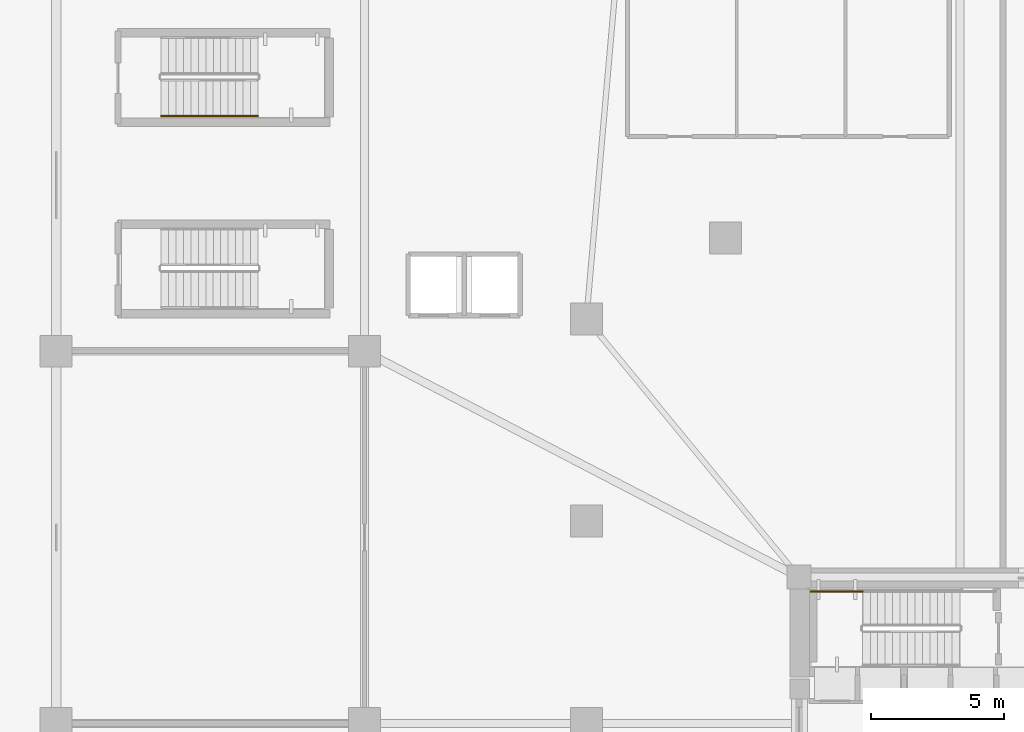
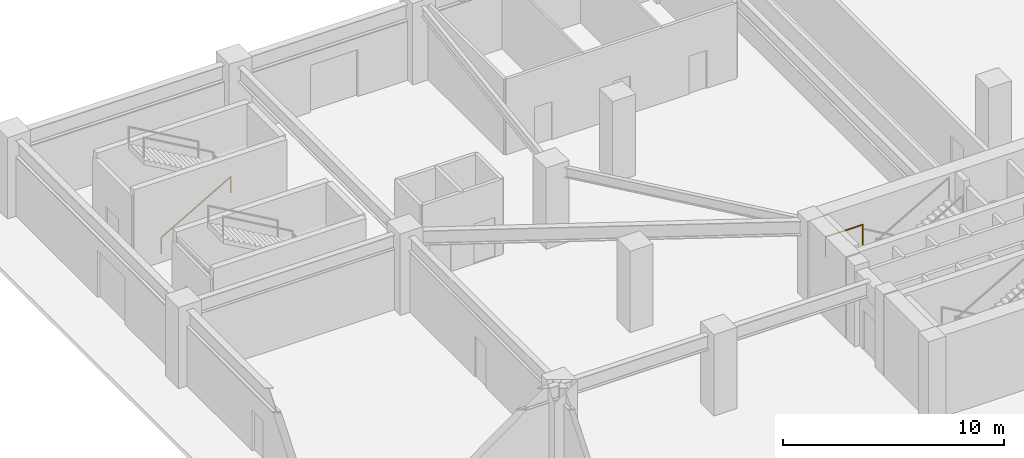
# One storey, part 14 of 18: 2 railings.
"""IFC4 building model written with IfcOpenShell, lengths in metres."""

from ifc_helpers import new_model, si_unit, direction, frame, origin, origin_2d, place, context, subcontext, project, spatial, rectangle, extrude, material, type_object, element, save


model = new_model("IFC4")

# Units and contexts
model_context = context("Model", 3, precision=1e-05, world=origin(), true_north=direction((0.0, 1.0)))
body_context = subcontext(model_context, "Body", "Model", "MODEL_VIEW")
ifc_project = project(units=[si_unit("LENGTHUNIT", "METRE"), si_unit("AREAUNIT", "SQUARE_METRE"), si_unit("VOLUMEUNIT", "CUBIC_METRE"), si_unit("PLANEANGLEUNIT", "RADIAN"), si_unit("MASSUNIT", "GRAM", prefix="KILO")], contexts=[model_context])

# Site, building, storey
site_placement = place(None, origin())
site = spatial("IfcSite", under=ifc_project, at=site_placement, CompositionType="ELEMENT")
building_placement = place(site_placement, origin())
building = spatial("IfcBuilding", under=site, at=building_placement, Name="Yunling Apex Tower", CompositionType="ELEMENT")
storey_placement = place(building_placement, origin())
storey = spatial("IfcBuildingStorey", under=building, at=storey_placement, Name="L01", CompositionType="ELEMENT", Elevation=0.0)

# Railings
ifc_material_1 = material(Name="Steel Q355B", Category="steel")
railing_type_1 = type_object("IfcRailingType", Name="RL-GRD-1150", PredefinedType="GUARDRAIL", material=ifc_material_1)
railing_1_placement = place(storey_placement, frame((-3.64990234375, 4.9599609375, 2.25)))
element("IfcRailing", 1, at=railing_1_placement, inside=storey, type_object=railing_type_1, Name="L01 ST-1 stair guard 3", PredefinedType="GUARDRAIL", context=body_context, shape_type="SweptSolid", body=[
    extrude(rectangle(XDim=0.0439453125, YDim=0.0439453125, at=origin_2d()), origin(), (0.0, 0.0, 1.0), 1.14990234375),
    extrude(rectangle(XDim=0.0439453125, YDim=0.0439453125, at=origin_2d()), frame((-1.9501953125, 0.0, 0.0)), (0.0, 0.0, 1.0), 1.14990234375),
    extrude(rectangle(XDim=0.050048828125, YDim=0.050048828125, at=origin_2d()), frame((-0.038330078125, 0.0, 1.125), z_axis=(-1.0, 0.0, 0.0), x_axis=(0.0, -1.0, 0.0)), (0.0, 0.0, 1.0), 1.87353515625),
])
ifc_material_2 = material(Name="Silver anodised aluminium", Category="aluminium")
railing_type_2 = type_object("IfcRailingType", Name="RL-HND-900", PredefinedType="HANDRAIL", material=ifc_material_2)
railing_2_placement = place(storey_placement, frame((-30.050048828125, 22.85009765625, 0.16064453125)))
element("IfcRailing", 2, at=railing_2_placement, inside=storey, type_object=railing_type_2, Name="L01 ST-G1 stair handrail 1", PredefinedType="HANDRAIL", context=body_context, shape_type="SweptSolid", body=[
    extrude(rectangle(XDim=0.0439453125, YDim=0.0439453125, at=origin_2d()), origin(), (0.0, 0.0, 1.0), 0.919921875),
    extrude(rectangle(XDim=0.0439453125, YDim=0.0439453125, at=origin_2d()), frame((3.64013671875, 0.0, 2.08935546875)), (0.0, 0.0, 1.0), 0.919921875),
    extrude(rectangle(XDim=0.050048828125, YDim=0.050048828125, at=origin_2d()), frame((0.033203125, 0.0, 0.9140625), z_axis=(0.867289372828, 0.0, 0.497804322781), x_axis=(0.0, 1.0, 0.0)), (0.0, 0.0, 1.0), 4.120361328125),
])

save(model, "model.ifc")
